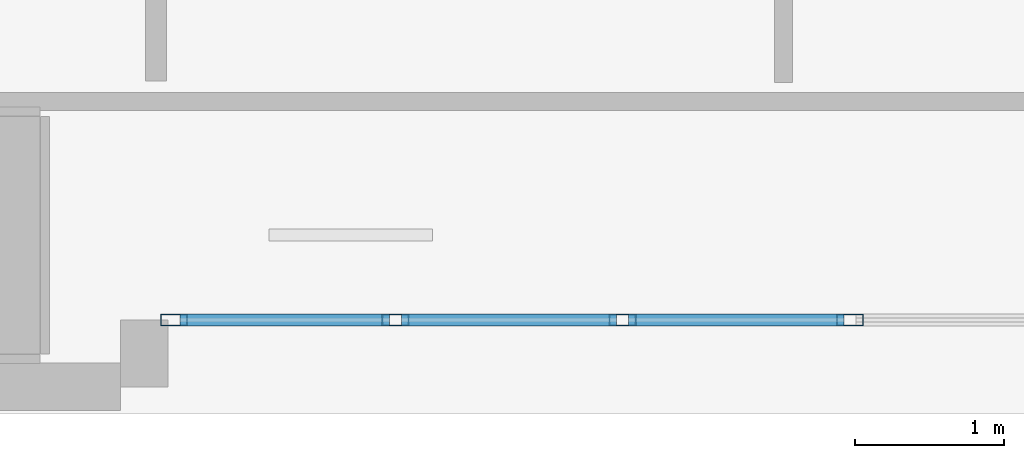
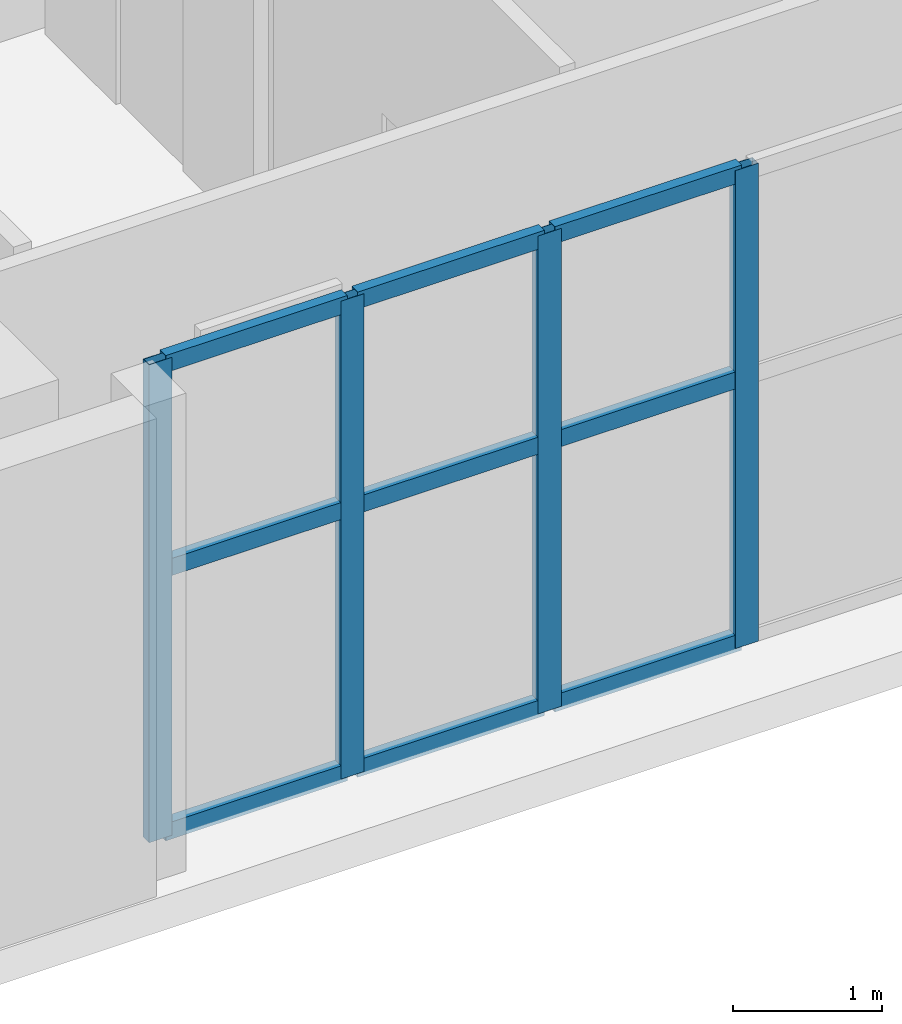
# One storey, part 2 of 24: 13 members, 1 element without a shape of its own.
"""IFC4 building model written with IfcOpenShell, lengths in metres."""

from ifc_helpers import new_model, si_unit, direction, frame, origin, origin_2d, place, context, subcontext, project, spatial, hollow_rectangle, extrude, material, layer, layer_set, material_profile, profile_set, type_object, element, aggregate, save


model = new_model("IFC4")

# Units and contexts
model_context = context("Model", 3, precision=1e-05, world=origin(), true_north=direction((0.0, 1.0)))
body_context = subcontext(model_context, "Body", "Model", "MODEL_VIEW")
ifc_project = project(units=[si_unit("LENGTHUNIT", "METRE"), si_unit("AREAUNIT", "SQUARE_METRE"), si_unit("VOLUMEUNIT", "CUBIC_METRE"), si_unit("PLANEANGLEUNIT", "RADIAN"), si_unit("MASSUNIT", "GRAM", prefix="KILO")], contexts=[model_context])

# Site, building, storey
site_placement = place(None, origin())
site = spatial("IfcSite", under=ifc_project, at=site_placement, CompositionType="ELEMENT")
building_placement = place(site_placement, origin())
building = spatial("IfcBuilding", under=site, at=building_placement, Name="Solanera Arch Residences", CompositionType="ELEMENT")
storey_placement = place(building_placement, frame((0.0, 0.0, 5.199951171875)))
storey = spatial("IfcBuildingStorey", under=building, at=storey_placement, Name="L01", CompositionType="ELEMENT", Elevation=5.199951171875)

# Curtain wall, members
ifc_material_1 = material(Name="Anodised Aluminium Alloy 6063-T6", Category="aluminium")
ifc_layer = layer(ifc_material_1, 0.179931640625)
ifc_layer_set = layer_set([ifc_layer], Name="Anodised Aluminium Alloy 6063-T6")
curtain_wall_type = type_object("IfcCurtainWallType", Name="CW-1 Arch Portal Unitised Glazing", PredefinedType="USERDEFINED", material=ifc_layer_set)
curtain_wall_placement = place(storey_placement, origin())
curtain_wall = element("IfcCurtainWall", 1, at=curtain_wall_placement, inside=storey, type_object=curtain_wall_type, Name="L01 Arch Portal Unitised Curtain Wall", ObjectType="CURTAIN_WALL", PredefinedType="USERDEFINED")
ifc_material_2 = material(Name="Anodised Aluminium Alloy 6063-T6", Category="aluminium")
ifc_material_profile_1 = material_profile(ifc_material_2, hollow_rectangle(XDim=0.080078125, YDim=0.179931640625, WallThickness=0.00390625, at=origin_2d()))
ifc_profile_set_1 = profile_set([ifc_material_profile_1], Name="Anodised Aluminium Alloy 6063-T6")
member_type_1 = type_object("IfcMemberType", Name="Curtain Wall Mullion ALU-MUL-80X180", PredefinedType="MULLION", material=ifc_profile_set_1)
member_1_placement = place(storey_placement, frame((19.647705078125, 10.6298828125, 0.0), z_axis=(0.0, 0.0, 1.0), x_axis=(0.0, -1.0, 0.0)))
member_1 = element("IfcMember", 2, at=member_1_placement, type_object=member_type_1, Name="CW-1 mullion 11", PredefinedType="MULLION", context=body_context, shape_type="SweptSolid", body=[
    extrude(hollow_rectangle(XDim=0.080078125, YDim=0.179931640625, WallThickness=0.00390625, at=origin_2d()), origin(), (0.0, 0.0, 1.0), 3.920166015625),
])
member_2_placement = place(storey_placement, frame((18.118408203125, 10.6298828125, 0.0), z_axis=(0.0, 0.0, 1.0), x_axis=(0.0, -1.0, 0.0)))
member_2 = element("IfcMember", 3, at=member_2_placement, type_object=member_type_1, Name="CW-1 mullion 12", PredefinedType="MULLION", context=body_context, shape_type="SweptSolid", body=[
    extrude(hollow_rectangle(XDim=0.080078125, YDim=0.179931640625, WallThickness=0.00390625, at=origin_2d()), origin(), (0.0, 0.0, 1.0), 3.920166015625),
])
member_3_placement = place(storey_placement, frame((16.589111328125, 10.6298828125, 0.0), z_axis=(0.0, 0.0, 1.0), x_axis=(0.0, -1.0, 0.0)))
member_3 = element("IfcMember", 4, at=member_3_placement, type_object=member_type_1, Name="CW-1 mullion 13", PredefinedType="MULLION", context=body_context, shape_type="SweptSolid", body=[
    extrude(hollow_rectangle(XDim=0.080078125, YDim=0.179931640625, WallThickness=0.00390625, at=origin_2d()), origin(), (0.0, 0.0, 1.0), 3.920166015625),
])
member_4_placement = place(storey_placement, frame((15.10009765625, 10.6298828125, 0.0), z_axis=(0.0, 0.0, 1.0), x_axis=(0.0, -1.0, 0.0)))
member_4 = element("IfcMember", 5, at=member_4_placement, type_object=member_type_1, Name="CW-1 mullion 14", PredefinedType="MULLION", context=body_context, shape_type="SweptSolid", body=[
    extrude(hollow_rectangle(XDim=0.080078125, YDim=0.179931640625, WallThickness=0.00390625, at=origin_2d()), origin(), (0.0, 0.0, 1.0), 3.920166015625),
])
ifc_material_3 = material(Name="Anodised Aluminium Alloy 6063-T6", Category="aluminium")
ifc_material_profile_2 = material_profile(ifc_material_3, hollow_rectangle(XDim=0.080078125, YDim=0.139892578125, WallThickness=0.00390625, at=origin_2d()))
ifc_profile_set_2 = profile_set([ifc_material_profile_2], Name="Anodised Aluminium Alloy 6063-T6")
member_type_2 = type_object("IfcMemberType", Name="Curtain Wall Transom ALU-TRN-80X140", PredefinedType="USERDEFINED", material=ifc_profile_set_2)
member_5_placement = place(storey_placement, frame((19.607666015625, 10.6298828125, 0.0400390625), z_axis=(-1.0, 0.0, 0.0), x_axis=(0.0, -1.0, 0.0)))
member_5 = element("IfcMember", 6, at=member_5_placement, type_object=member_type_2, Name="CW-1 transom 11.1", ObjectType="TRANSOM", PredefinedType="USERDEFINED", context=body_context, shape_type="SweptSolid", body=[
    extrude(hollow_rectangle(XDim=0.080078125, YDim=0.139892578125, WallThickness=0.00390625, at=origin_2d()), origin(), (0.0, 0.0, 1.0), 1.44921875),
])
member_6_placement = place(storey_placement, frame((19.607666015625, 10.6298828125, 2.199951171875), z_axis=(-1.0, 0.0, 0.0), x_axis=(0.0, -1.0, 0.0)))
member_6 = element("IfcMember", 7, at=member_6_placement, type_object=member_type_2, Name="CW-1 transom 11.2", ObjectType="TRANSOM", PredefinedType="USERDEFINED", context=body_context, shape_type="SweptSolid", body=[
    extrude(hollow_rectangle(XDim=0.080078125, YDim=0.139892578125, WallThickness=0.00390625, at=origin_2d()), origin(), (0.0, 0.0, 1.0), 1.44921875),
])
member_7_placement = place(storey_placement, frame((19.607666015625, 10.6298828125, 3.880126953125), z_axis=(-1.0, 0.0, 0.0), x_axis=(0.0, -1.0, 0.0)))
member_7 = element("IfcMember", 8, at=member_7_placement, type_object=member_type_2, Name="CW-1 transom 11.3", ObjectType="TRANSOM", PredefinedType="USERDEFINED", context=body_context, shape_type="SweptSolid", body=[
    extrude(hollow_rectangle(XDim=0.080078125, YDim=0.139892578125, WallThickness=0.00390625, at=origin_2d()), origin(), (0.0, 0.0, 1.0), 1.44921875),
])
member_8_placement = place(storey_placement, frame((18.078369140625, 10.6298828125, 0.0400390625), z_axis=(-1.0, 0.0, 0.0), x_axis=(0.0, -1.0, 0.0)))
member_8 = element("IfcMember", 9, at=member_8_placement, type_object=member_type_2, Name="CW-1 transom 12.1", ObjectType="TRANSOM", PredefinedType="USERDEFINED", context=body_context, shape_type="SweptSolid", body=[
    extrude(hollow_rectangle(XDim=0.080078125, YDim=0.139892578125, WallThickness=0.00390625, at=origin_2d()), origin(), (0.0, 0.0, 1.0), 1.44921875),
])
member_9_placement = place(storey_placement, frame((18.078369140625, 10.6298828125, 2.199951171875), z_axis=(-1.0, 0.0, 0.0), x_axis=(0.0, -1.0, 0.0)))
member_9 = element("IfcMember", 10, at=member_9_placement, type_object=member_type_2, Name="CW-1 transom 12.2", ObjectType="TRANSOM", PredefinedType="USERDEFINED", context=body_context, shape_type="SweptSolid", body=[
    extrude(hollow_rectangle(XDim=0.080078125, YDim=0.139892578125, WallThickness=0.00390625, at=origin_2d()), origin(), (0.0, 0.0, 1.0), 1.44921875),
])
member_10_placement = place(storey_placement, frame((18.078369140625, 10.6298828125, 3.880126953125), z_axis=(-1.0, 0.0, 0.0), x_axis=(0.0, -1.0, 0.0)))
member_10 = element("IfcMember", 11, at=member_10_placement, type_object=member_type_2, Name="CW-1 transom 12.3", ObjectType="TRANSOM", PredefinedType="USERDEFINED", context=body_context, shape_type="SweptSolid", body=[
    extrude(hollow_rectangle(XDim=0.080078125, YDim=0.139892578125, WallThickness=0.00390625, at=origin_2d()), origin(), (0.0, 0.0, 1.0), 1.44921875),
])
member_11_placement = place(storey_placement, frame((16.54931640625, 10.6298828125, 0.0400390625), z_axis=(-1.0, 0.0, 0.0), x_axis=(0.0, -1.0, 0.0)))
member_11 = element("IfcMember", 12, at=member_11_placement, type_object=member_type_2, Name="CW-1 transom 13.1", ObjectType="TRANSOM", PredefinedType="USERDEFINED", context=body_context, shape_type="SweptSolid", body=[
    extrude(hollow_rectangle(XDim=0.080078125, YDim=0.139892578125, WallThickness=0.00390625, at=origin_2d()), origin(), (0.0, 0.0, 1.0), 1.409423828125),
])
member_12_placement = place(storey_placement, frame((16.54931640625, 10.6298828125, 2.199951171875), z_axis=(-1.0, 0.0, 0.0), x_axis=(0.0, -1.0, 0.0)))
member_12 = element("IfcMember", 13, at=member_12_placement, type_object=member_type_2, Name="CW-1 transom 13.2", ObjectType="TRANSOM", PredefinedType="USERDEFINED", context=body_context, shape_type="SweptSolid", body=[
    extrude(hollow_rectangle(XDim=0.080078125, YDim=0.139892578125, WallThickness=0.00390625, at=origin_2d()), origin(), (0.0, 0.0, 1.0), 1.409423828125),
])
member_13_placement = place(storey_placement, frame((16.54931640625, 10.6298828125, 3.880126953125), z_axis=(-1.0, 0.0, 0.0), x_axis=(0.0, -1.0, 0.0)))
member_13 = element("IfcMember", 14, at=member_13_placement, type_object=member_type_2, Name="CW-1 transom 13.3", ObjectType="TRANSOM", PredefinedType="USERDEFINED", context=body_context, shape_type="SweptSolid", body=[
    extrude(hollow_rectangle(XDim=0.080078125, YDim=0.139892578125, WallThickness=0.00390625, at=origin_2d()), origin(), (0.0, 0.0, 1.0), 1.409423828125),
])
aggregate(curtain_wall, [member_1, member_2, member_3, member_4, member_5, member_6, member_7, member_8, member_9, member_10, member_11, member_12, member_13])

save(model, "model.ifc")
